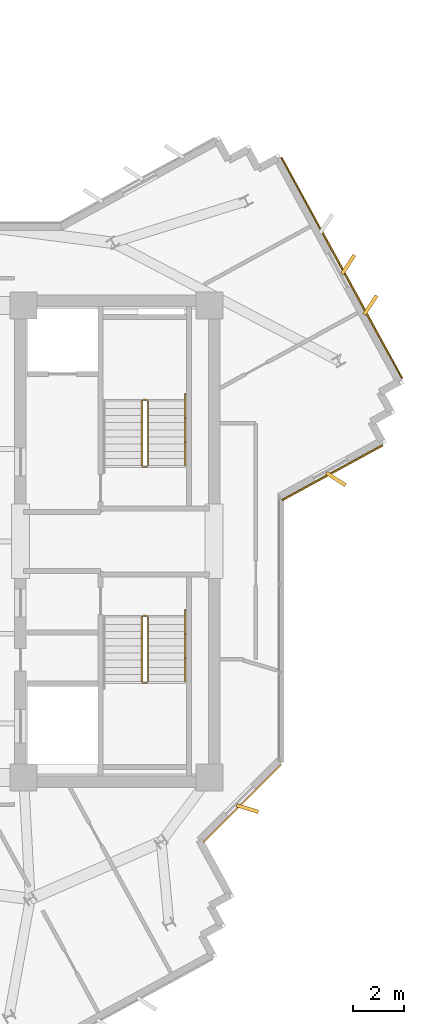
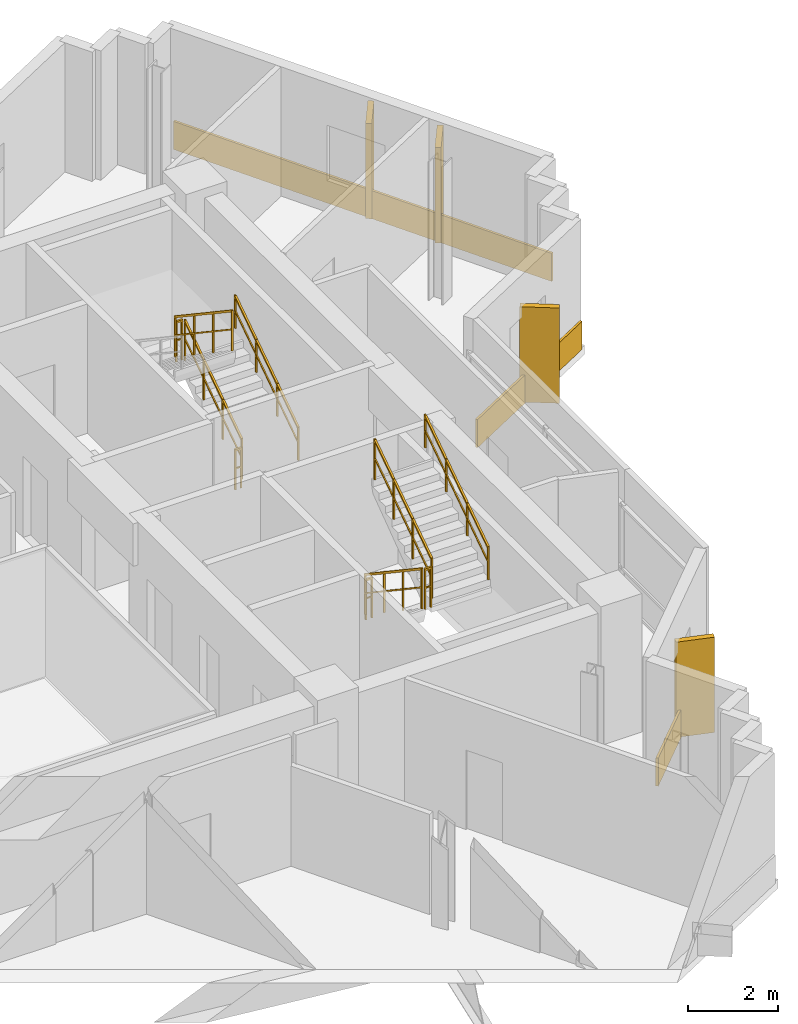
# One storey, part 12 of 13: 10 railings, 7 coverings.
"""IFC4 building model written with IfcOpenShell, lengths in metres."""

from ifc_helpers import new_model, si_unit, direction, frame, origin, origin_2d, place, context, subcontext, project, spatial, rectangle, extrude, source, transform, mapped, material, layer, layer_set, type_object, element, save


model = new_model("IFC4")

# Units and contexts
model_context = context("Model", 3, precision=1e-05, world=origin(), true_north=direction((0.0, 1.0)))
body_context = subcontext(model_context, "Body", "Model", "MODEL_VIEW")
ifc_project = project(units=[si_unit("LENGTHUNIT", "METRE"), si_unit("AREAUNIT", "SQUARE_METRE"), si_unit("VOLUMEUNIT", "CUBIC_METRE"), si_unit("PLANEANGLEUNIT", "RADIAN"), si_unit("MASSUNIT", "GRAM", prefix="KILO")], contexts=[model_context])

# Site, building, storey
site_placement = place(None, origin())
site = spatial("IfcSite", under=ifc_project, at=site_placement, CompositionType="ELEMENT")
building_placement = place(site_placement, origin())
building = spatial("IfcBuilding", under=site, at=building_placement, Name="Zahravan Cultural Tower", CompositionType="ELEMENT")
storey_placement = place(building_placement, frame((0.0, 0.0, 254.10009765625)))
storey = spatial("IfcBuildingStorey", under=building, at=storey_placement, Name="L60", CompositionType="ELEMENT", Elevation=254.10009765625)

# Railings
ifc_material_1 = material(Name="Steel ASTM A572 Grade 50", Category="steel")
railing_type_1 = type_object("IfcRailingType", Name="RL-STAIR-GRD1150", PredefinedType="BALUSTRADE", material=ifc_material_1)
railing_1_placement = place(storey_placement, frame((47.949951171875, 29.949951171875, 0.1875)))
element("IfcRailing", 1, at=railing_1_placement, inside=storey, type_object=railing_type_1, Name="L60 ST-E1 stair guard 1", PredefinedType="BALUSTRADE", context=body_context, shape_type="SweptSolid", body=[
    extrude(rectangle(XDim=0.05, YDim=0.05, at=origin_2d()), frame((0.0, 0.0, 1.0751953125), z_axis=(0.0, 0.830909170722, 0.55640807867), x_axis=(-1.0, 0.0, 0.0)), (0.0, 0.0, 1.0), 3.032958984375),
    extrude(rectangle(XDim=0.032, YDim=0.032, at=origin_2d()), frame((0.0, 0.0, 0.572021484375), z_axis=(0.0, 0.830909170722, 0.55640807867), x_axis=(-1.0, 0.0, 0.0)), (0.0, 0.0, 1.0), 3.032958984375),
    extrude(rectangle(XDim=0.04, YDim=0.04, at=origin_2d()), origin(), (0.0, 0.0, 1.0), 1.10009765625),
    extrude(rectangle(XDim=0.04, YDim=0.04, at=origin_2d()), frame((0.0, 0.840087890625, 0.5625)), (0.0, 0.0, 1.0), 1.10009765625),
    extrude(rectangle(XDim=0.04, YDim=0.04, at=origin_2d()), frame((0.0, 1.679931640625, 1.125)), (0.0, 0.0, 1.0), 1.10009765625),
    extrude(rectangle(XDim=0.04, YDim=0.04, at=origin_2d()), frame((0.0, 2.52001953125, 1.6875)), (0.0, 0.0, 1.0), 1.10009765625),
])
railing_2_placement = place(storey_placement, frame((47.89990234375, 32.52001953125, 1.875)))
element("IfcRailing", 2, at=railing_2_placement, inside=storey, type_object=railing_type_1, Name="L60 ST-E1 stair guard 2", PredefinedType="BALUSTRADE", context=body_context, shape_type="SweptSolid", body=[
    extrude(rectangle(XDim=0.05, YDim=0.05, at=origin_2d()), frame((0.0, 0.0, 1.0751953125), z_axis=(-1.0, 0.0, 0.0), x_axis=(0.0, -1.0, 0.0)), (0.0, 0.0, 1.0), 0.14990234375),
    extrude(rectangle(XDim=0.032, YDim=0.032, at=origin_2d()), frame((0.0, 0.0, 0.572021484375), z_axis=(-1.0, 0.0, 0.0), x_axis=(0.0, -1.0, 0.0)), (0.0, 0.0, 1.0), 0.14990234375),
    extrude(rectangle(XDim=0.04, YDim=0.04, at=origin_2d()), origin(), (0.0, 0.0, 1.0), 1.10009765625),
    extrude(rectangle(XDim=0.04, YDim=0.04, at=origin_2d()), frame((-0.14990234375, 0.0, 0.0)), (0.0, 0.0, 1.0), 1.10009765625),
])
railing_3_placement = place(storey_placement, frame((47.699951171875, 32.469970703125, 2.0625)))
element("IfcRailing", 3, at=railing_3_placement, inside=storey, type_object=railing_type_1, Name="L60 ST-E1 stair guard 3", PredefinedType="BALUSTRADE", context=body_context, shape_type="SweptSolid", body=[
    extrude(rectangle(XDim=0.05, YDim=0.05, at=origin_2d()), frame((0.0, 0.0, 1.0751953125), z_axis=(0.0, -0.830909170722, 0.55640807867), x_axis=(1.0, 0.0, 0.0)), (0.0, 0.0, 1.0), 3.032958984375),
    extrude(rectangle(XDim=0.032, YDim=0.032, at=origin_2d()), frame((0.0, 0.0, 0.572021484375), z_axis=(0.0, -0.830909170722, 0.55640807867), x_axis=(1.0, 0.0, 0.0)), (0.0, 0.0, 1.0), 3.032958984375),
    extrude(rectangle(XDim=0.04, YDim=0.04, at=origin_2d()), origin(), (0.0, 0.0, 1.0), 1.10009765625),
    extrude(rectangle(XDim=0.04, YDim=0.04, at=origin_2d()), frame((0.0, -0.840087890625, 0.5625)), (0.0, 0.0, 1.0), 1.10009765625),
    extrude(rectangle(XDim=0.04, YDim=0.04, at=origin_2d()), frame((0.0, -1.679931640625, 1.125)), (0.0, 0.0, 1.0), 1.10009765625),
    extrude(rectangle(XDim=0.04, YDim=0.04, at=origin_2d()), frame((0.0, -2.52001953125, 1.6875)), (0.0, 0.0, 1.0), 1.10009765625),
])
railing_4_placement = place(storey_placement, frame((47.89990234375, 29.89990234375, 0.0)))
element("IfcRailing", 4, at=railing_4_placement, inside=storey, type_object=railing_type_1, Name="L60 ST-E1 stair guard 4", PredefinedType="BALUSTRADE", context=body_context, shape_type="SweptSolid", body=[
    extrude(rectangle(XDim=0.05, YDim=0.05, at=origin_2d()), frame((0.0, 0.0, 1.0751953125), z_axis=(-1.0, 0.0, 0.0), x_axis=(0.0, -1.0, 0.0)), (0.0, 0.0, 1.0), 0.14990234375),
    extrude(rectangle(XDim=0.032, YDim=0.032, at=origin_2d()), frame((0.0, 0.0, 0.572021484375), z_axis=(-1.0, 0.0, 0.0), x_axis=(0.0, -1.0, 0.0)), (0.0, 0.0, 1.0), 0.14990234375),
    extrude(rectangle(XDim=0.04, YDim=0.04, at=origin_2d()), origin(), (0.0, 0.0, 1.0), 1.10009765625),
    extrude(rectangle(XDim=0.04, YDim=0.04, at=origin_2d()), frame((-0.14990234375, 0.0, 0.0)), (0.0, 0.0, 1.0), 1.10009765625),
])
railing_5_placement = place(storey_placement, frame((47.699951171875, 24.050048828125, 0.1875)))
element("IfcRailing", 5, at=railing_5_placement, inside=storey, type_object=railing_type_1, Name="L60 ST-E2 stair guard 1", PredefinedType="BALUSTRADE", context=body_context, shape_type="SweptSolid", body=[
    extrude(rectangle(XDim=0.05, YDim=0.05, at=origin_2d()), frame((0.0, 0.0, 1.0751953125), z_axis=(0.0, -0.830909170722, 0.55640807867), x_axis=(1.0, 0.0, 0.0)), (0.0, 0.0, 1.0), 3.032958984375),
    extrude(rectangle(XDim=0.032, YDim=0.032, at=origin_2d()), frame((0.0, 0.0, 0.572021484375), z_axis=(0.0, -0.830909170722, 0.55640807867), x_axis=(1.0, 0.0, 0.0)), (0.0, 0.0, 1.0), 3.032958984375),
    extrude(rectangle(XDim=0.04, YDim=0.04, at=origin_2d()), origin(), (0.0, 0.0, 1.0), 1.10009765625),
    extrude(rectangle(XDim=0.04, YDim=0.04, at=origin_2d()), frame((0.0, -0.840087890625, 0.5625)), (0.0, 0.0, 1.0), 1.10009765625),
    extrude(rectangle(XDim=0.04, YDim=0.04, at=origin_2d()), frame((0.0, -1.679931640625, 1.125)), (0.0, 0.0, 1.0), 1.10009765625),
    extrude(rectangle(XDim=0.04, YDim=0.04, at=origin_2d()), frame((0.0, -2.52001953125, 1.6875)), (0.0, 0.0, 1.0), 1.10009765625),
])
railing_6_placement = place(storey_placement, frame((47.75, 21.47998046875, 1.875)))
element("IfcRailing", 6, at=railing_6_placement, inside=storey, type_object=railing_type_1, Name="L60 ST-E2 stair guard 2", PredefinedType="BALUSTRADE", context=body_context, shape_type="SweptSolid", body=[
    extrude(rectangle(XDim=0.05, YDim=0.05, at=origin_2d()), frame((0.0, 0.0, 1.0751953125), z_axis=(1.0, 0.0, 0.0), x_axis=(0.0, 1.0, 0.0)), (0.0, 0.0, 1.0), 0.14990234375),
    extrude(rectangle(XDim=0.032, YDim=0.032, at=origin_2d()), frame((0.0, 0.0, 0.572021484375), z_axis=(1.0, 0.0, 0.0), x_axis=(0.0, 1.0, 0.0)), (0.0, 0.0, 1.0), 0.14990234375),
    extrude(rectangle(XDim=0.04, YDim=0.04, at=origin_2d()), origin(), (0.0, 0.0, 1.0), 1.10009765625),
    extrude(rectangle(XDim=0.04, YDim=0.04, at=origin_2d()), frame((0.14990234375, 0.0, 0.0)), (0.0, 0.0, 1.0), 1.10009765625),
])
railing_7_placement = place(storey_placement, frame((47.949951171875, 21.530029296875, 2.0625)))
element("IfcRailing", 7, at=railing_7_placement, inside=storey, type_object=railing_type_1, Name="L60 ST-E2 stair guard 3", PredefinedType="BALUSTRADE", context=body_context, shape_type="SweptSolid", body=[
    extrude(rectangle(XDim=0.05, YDim=0.05, at=origin_2d()), frame((0.0, 0.0, 1.0751953125), z_axis=(0.0, 0.830909170722, 0.55640807867), x_axis=(-1.0, 0.0, 0.0)), (0.0, 0.0, 1.0), 3.032958984375),
    extrude(rectangle(XDim=0.032, YDim=0.032, at=origin_2d()), frame((0.0, 0.0, 0.572021484375), z_axis=(0.0, 0.830909170722, 0.55640807867), x_axis=(-1.0, 0.0, 0.0)), (0.0, 0.0, 1.0), 3.032958984375),
    extrude(rectangle(XDim=0.04, YDim=0.04, at=origin_2d()), origin(), (0.0, 0.0, 1.0), 1.10009765625),
    extrude(rectangle(XDim=0.04, YDim=0.04, at=origin_2d()), frame((0.0, 0.840087890625, 0.5625)), (0.0, 0.0, 1.0), 1.10009765625),
    extrude(rectangle(XDim=0.04, YDim=0.04, at=origin_2d()), frame((0.0, 1.679931640625, 1.125)), (0.0, 0.0, 1.0), 1.10009765625),
    extrude(rectangle(XDim=0.04, YDim=0.04, at=origin_2d()), frame((0.0, 2.52001953125, 1.6875)), (0.0, 0.0, 1.0), 1.10009765625),
])
railing_8_placement = place(storey_placement, frame((47.75, 24.10009765625, 0.0)))
element("IfcRailing", 8, at=railing_8_placement, inside=storey, type_object=railing_type_1, Name="L60 ST-E2 stair guard 4", PredefinedType="BALUSTRADE", context=body_context, shape_type="SweptSolid", body=[
    extrude(rectangle(XDim=0.05, YDim=0.05, at=origin_2d()), frame((0.0, 0.0, 1.0751953125), z_axis=(1.0, 0.0, 0.0), x_axis=(0.0, 1.0, 0.0)), (0.0, 0.0, 1.0), 0.14990234375),
    extrude(rectangle(XDim=0.032, YDim=0.032, at=origin_2d()), frame((0.0, 0.0, 0.572021484375), z_axis=(1.0, 0.0, 0.0), x_axis=(0.0, 1.0, 0.0)), (0.0, 0.0, 1.0), 0.14990234375),
    extrude(rectangle(XDim=0.04, YDim=0.04, at=origin_2d()), origin(), (0.0, 0.0, 1.0), 1.10009765625),
    extrude(rectangle(XDim=0.04, YDim=0.04, at=origin_2d()), frame((0.14990234375, 0.0, 0.0)), (0.0, 0.0, 1.0), 1.10009765625),
])
railing_type_2 = type_object("IfcRailingType", Name="RL-STAIR-HR900", PredefinedType="HANDRAIL", material=ifc_material_1)
for number, where, name in (
    (9, (49.39990234375, 29.949951171875, 0.1875), "L60 ST-E1 stair handrail 1"),
    (10, (49.39990234375, 21.530029296875, 2.0625), "L60 ST-E2 stair handrail 2"),
):
    element("IfcRailing", number, at=place(storey_placement, frame(where)), inside=storey, type_object=railing_type_2, Name=name, PredefinedType="HANDRAIL", context=body_context, shape_type="SweptSolid", body=[
        extrude(rectangle(XDim=0.05, YDim=0.05, at=origin_2d()), frame((0.0, 0.0, 0.875), z_axis=(0.0, 0.830911662861, 0.55640435703), x_axis=(-1.0, 0.0, 0.0)), (0.0, 0.0, 1.0), 3.369873046875),
        extrude(rectangle(XDim=0.032, YDim=0.032, at=origin_2d()), frame((0.0, 0.0, 0.468017578125), z_axis=(0.0, 0.830911662861, 0.55640435703), x_axis=(-1.0, 0.0, 0.0)), (0.0, 0.0, 1.0), 3.369873046875),
        extrude(rectangle(XDim=0.04, YDim=0.04, at=origin_2d()), origin(), (0.0, 0.0, 1.0), 0.89990234375),
        extrude(rectangle(XDim=0.04, YDim=0.04, at=origin_2d()), frame((0.0, 0.933349609375, 0.625)), (0.0, 0.0, 1.0), 0.89990234375),
        extrude(rectangle(XDim=0.04, YDim=0.04, at=origin_2d()), frame((0.0, 1.86669921875, 1.25)), (0.0, 0.0, 1.0), 0.89990234375),
        extrude(rectangle(XDim=0.04, YDim=0.04, at=origin_2d()), frame((0.0, 2.800048828125, 1.875)), (0.0, 0.0, 1.0), 0.89990234375),
    ])

# Coverings
ifc_material_2 = material(Name="Terracotta ceramic cladding", Category="masonry")
ifc_layer = layer(ifc_material_2, 0.06005859375)
ifc_layer_set = layer_set([ifc_layer], Name="Terracotta ceramic cladding")
covering_type = type_object("IfcCoveringType", Name="COV-CLAD-TC60", PredefinedType="CLADDING", material=ifc_layer_set)
shared_shape_1 = source(origin(), body_context, "Body", "SweptSolid", [
    extrude(rectangle(XDim=9.820068359375, YDim=0.06005859375, at=origin_2d()), origin(), (0.0, 0.0, 1.0), 0.760009765625),
])
covering_1_placement = place(storey_placement, frame((55.50390625, 37.656005859375, 0.02001953125), z_axis=(0.0, 0.0, 1.0), x_axis=(0.479457860256, -0.877564903719, 0.0)))
element("IfcCovering", 11, at=covering_1_placement, inside=storey, type_object=covering_type, Name="L60 Terracotta Spandrel Cladding 06", PredefinedType="CLADDING", context=body_context, shape_type="MappedRepresentation", body=[
    mapped(shared_shape_1, transform((0.0, 0.0, 0.0), x_axis=(1.0, 0.0, 0.0), y_axis=(0.0, 1.0, 0.0), z_axis=(0.0, 0.0, 1.0), scale=1.0)),
])
shared_shape_2 = source(origin(), body_context, "Body", "SweptSolid", [
    extrude(rectangle(XDim=0.8798828125, YDim=0.139892578125, at=origin_2d()), origin(), (0.0, 0.0, 1.0), 2.580078125),
])
for number, where, z_axis, x_axis, name in (
    (12, (55.75390625, 37.79248046875, 0.0498046875), (0.0, 0.0, 1.0), (0.549751988372, 0.835327930385, 0.0), "L60 Herringbone Terracotta Fin 05"),
    (13, (56.616943359375, 36.212890625, 0.0498046875), (0.0, 0.0, 1.0), (0.549751988372, 0.835327930385, 0.0), "L60 Herringbone Terracotta Fin 06"),
    (14, (55.27587890625, 29.429443359375, 0.0498046875), (0.0, 0.0, 1.0), (0.835327930385, -0.549751988372, 0.0), "L60 Herringbone Terracotta Fin 07"),
    (15, (51.824951171875, 16.58642578125, 0.0498046875), (0.0, 0.0, 1.0), (0.956304755963, -0.292371704723, 0.0), "L60 Herringbone Terracotta Fin 08"),
):
    element("IfcCovering", number, at=place(storey_placement, frame(where, z_axis=z_axis, x_axis=x_axis)), inside=storey, type_object=covering_type, Name=name, PredefinedType="CLADDING", context=body_context, shape_type="MappedRepresentation", body=[
        mapped(shared_shape_2, transform((0.0, 0.0, 0.0), x_axis=(1.0, 0.0, 0.0), y_axis=(0.0, 1.0, 0.0), z_axis=(0.0, 0.0, 1.0), scale=1.0)),
    ])
shared_shape_3 = source(origin(), body_context, "Body", "SweptSolid", [
    extrude(rectangle(XDim=4.45849609375, YDim=0.06005859375, at=origin_2d()), origin(), (0.0, 0.0, 1.0), 0.760009765625),
])
covering_2_placement = place(storey_placement, frame((55.139404296875, 29.679443359375, 0.02001953125), z_axis=(0.0, 0.0, 1.0), x_axis=(-0.877564903719, -0.479457860256, 0.0)))
element("IfcCovering", 16, at=covering_2_placement, inside=storey, type_object=covering_type, Name="L60 Terracotta Spandrel Cladding 11", PredefinedType="CLADDING", context=body_context, shape_type="MappedRepresentation", body=[
    mapped(shared_shape_3, transform((0.0, 0.0, 0.0), x_axis=(1.0, 0.0, 0.0), y_axis=(0.0, 1.0, 0.0), z_axis=(0.0, 0.0, 1.0), scale=1.0)),
])
shared_shape_4 = source(origin(), body_context, "Body", "SweptSolid", [
    extrude(rectangle(XDim=4.29345703125, YDim=0.06005859375, at=origin_2d()), origin(), (0.0, 0.0, 1.0), 0.760009765625),
])
covering_3_placement = place(storey_placement, frame((51.623291015625, 16.7880859375, 0.02001953125), z_axis=(0.0, 0.0, 1.0), x_axis=(-0.707106781187, -0.707106781187, 0.0)))
element("IfcCovering", 17, at=covering_3_placement, inside=storey, type_object=covering_type, Name="L60 Terracotta Spandrel Cladding 12", PredefinedType="CLADDING", context=body_context, shape_type="MappedRepresentation", body=[
    mapped(shared_shape_4, transform((0.0, 0.0, 0.0), x_axis=(1.0, 0.0, 0.0), y_axis=(0.0, 1.0, 0.0), z_axis=(0.0, 0.0, 1.0), scale=1.0)),
])

save(model, "model.ifc")
